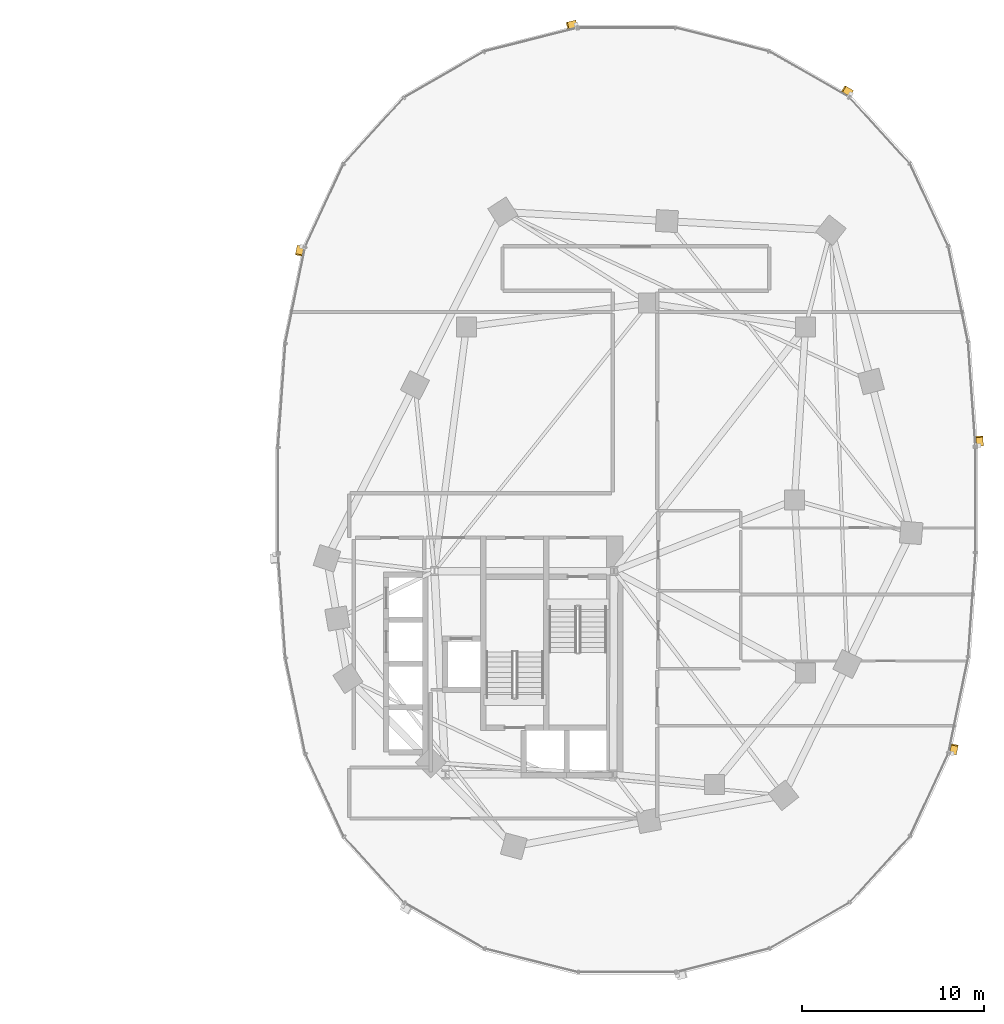
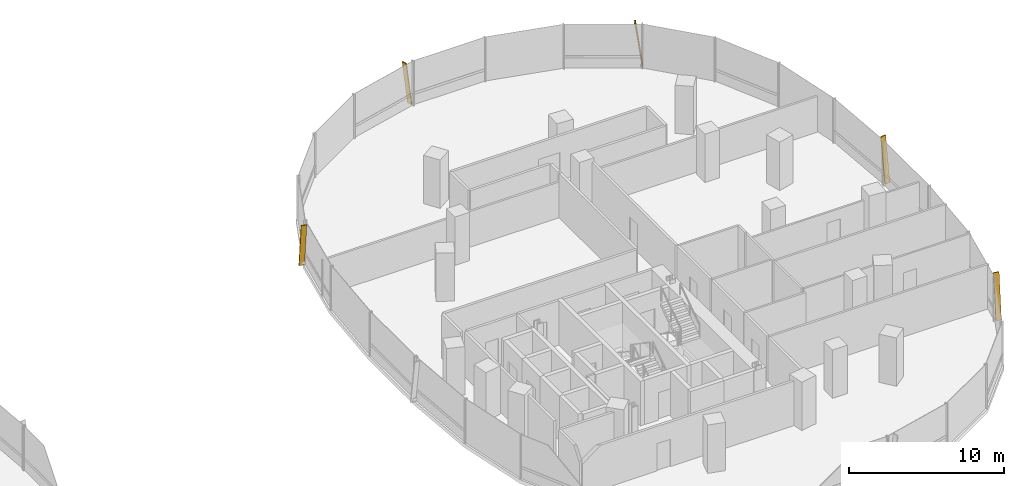
# One storey, part 21 of 21: 5 shading devices.
"""IFC4 building model written with IfcOpenShell, lengths in metres."""

from ifc_helpers import new_model, si_unit, direction, frame, origin, origin_2d, place, context, subcontext, project, spatial, rectangle, extrude, material, material_profile, profile_set, type_object, element, save


model = new_model("IFC4")

# Units and contexts
model_context = context("Model", 3, precision=1e-05, world=origin(), true_north=direction((0.0, 1.0)))
body_context = subcontext(model_context, "Body", "Model", "MODEL_VIEW")
ifc_project = project(units=[si_unit("LENGTHUNIT", "METRE"), si_unit("AREAUNIT", "SQUARE_METRE"), si_unit("VOLUMEUNIT", "CUBIC_METRE"), si_unit("PLANEANGLEUNIT", "RADIAN"), si_unit("MASSUNIT", "GRAM", prefix="KILO"), si_unit("THERMODYNAMICTEMPERATUREUNIT", "KELVIN"), si_unit("POWERUNIT", "WATT")], contexts=[model_context])

# Site, building, storey
site_placement = place(None, origin())
site = spatial("IfcSite", under=ifc_project, at=site_placement, CompositionType="ELEMENT")
building_placement = place(site_placement, origin())
building = spatial("IfcBuilding", under=site, at=building_placement, Name="Cundina Bronze Exchange", CompositionType="ELEMENT")
storey_placement = place(building_placement, frame((0.0, 0.0, 54.39990234375)))
storey = spatial("IfcBuildingStorey", under=building, at=storey_placement, Name="L13", CompositionType="ELEMENT", Elevation=54.39990234375)

# Shading devices
ifc_material = material(Name="Anodised Bronze Aluminium 6063-T6", Category="aluminium")
ifc_material_profile = material_profile(ifc_material, rectangle(XDim=0.070068359375, YDim=0.3798828125, at=origin_2d()), Name="FIN70X380", Category="aluminium")
ifc_profile_set = profile_set([ifc_material_profile], Name="Anodised Bronze Aluminium 6063-T6")
shading_device_type = type_object("IfcShadingDeviceType", Name="SHD-FIN-BRZ380", PredefinedType="USERDEFINED", material=ifc_profile_set)
for number, where, z_axis, x_axis, name in (
    (1, (51.3740234375, 2.993896484375, 0.02001953125), (-0.009645159174, 0.137059109714, 0.990515911709), (0.06953288269, -0.988072340253, 0.137398066402), "L13 Diagonal Bronze Solar Fin 1"),
    (2, (44.314208984375, 22.314208984375, 0.02001953125), (-0.119166378275, 0.06842456559, 0.990513731915), (0.85898178632, -0.493221799887, 0.137413779831), "L13 Diagonal Bronze Solar Fin 5"),
    (3, (29.212646484375, 26.138427734375, 0.02001953125), (-0.133214830938, -0.033688115694, 0.990514472221), (0.960284642503, 0.242842181368, 0.137408443412), "L13 Diagonal Bronze Solar Fin 1"),
    (4, (14.10400390625, 13.911865234375, 0.02001953125), (-0.027747134956, -0.134612045151, 0.990509815096), (0.199966585563, 0.970114971774, 0.137442010309), "L13 Diagonal Bronze Solar Fin 5"),
    (5, (49.89599609375, -13.911865234375, 0.02001953125), (0.027747134956, 0.134612045151, 0.990509815096), (-0.199966585563, -0.970114971774, 0.137442010309), "L13 Diagonal Bronze Solar Fin 5"),
):
    element("IfcShadingDevice", number, at=place(storey_placement, frame(where, z_axis=z_axis, x_axis=x_axis)), inside=storey, type_object=shading_device_type, Name=name, ObjectType="FIN", PredefinedType="USERDEFINED", context=body_context, shape_type="SweptSolid", body=[
        extrude(rectangle(XDim=0.070068359375, YDim=0.3798828125, at=origin_2d()), origin(), (0.0, 0.0, 1.0), 3.4931640625),
    ])

save(model, "model.ifc")
